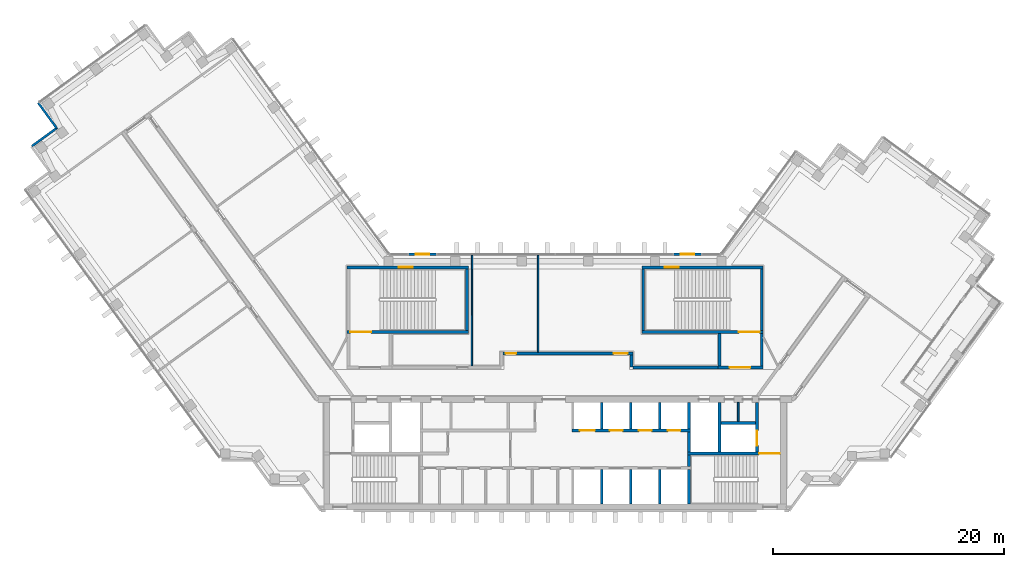
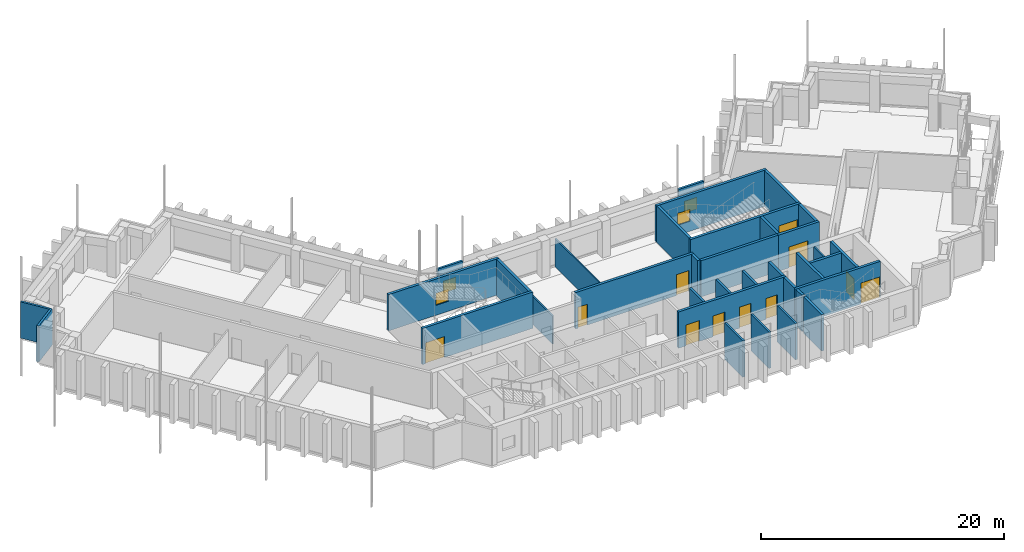
# One storey, part 10 of 14: 35 walls, 11 doors, 4 windows, 15 openings.
"""IFC4 building model written with IfcOpenShell, lengths in metres."""

from ifc_helpers import new_model, si_unit, direction, frame, frame_2d, origin, place, context, subcontext, project, spatial, rectangle, extrude, material, layer, layer_set, type_object, element, fill, save


model = new_model("IFC4")

# Units and contexts
model_context = context("Model", 3, precision=1e-05, world=origin(), true_north=direction((0.0, 1.0)))
body_context = subcontext(model_context, "Body", "Model", "MODEL_VIEW")
ifc_project = project(units=[si_unit("LENGTHUNIT", "METRE"), si_unit("AREAUNIT", "SQUARE_METRE"), si_unit("VOLUMEUNIT", "CUBIC_METRE"), si_unit("PLANEANGLEUNIT", "RADIAN"), si_unit("MASSUNIT", "GRAM", prefix="KILO")], contexts=[model_context])

# Site, building, storey
site_placement = place(None, origin())
site = spatial("IfcSite", under=ifc_project, at=site_placement, CompositionType="ELEMENT")
building_placement = place(site_placement, origin())
building = spatial("IfcBuilding", under=site, at=building_placement, Name="Quipu Civic Tower", CompositionType="ELEMENT")
storey_placement = place(building_placement, frame((0.0, 0.0, 198.0)))
storey = spatial("IfcBuildingStorey", under=building, at=storey_placement, Name="L46", CompositionType="ELEMENT", Elevation=198.0)

# Walls
ifc_material_1 = material(Name="Concrete C70/85", Category="concrete")
ifc_layer_1 = layer(ifc_material_1, 0.25)
ifc_layer_set_1 = layer_set([ifc_layer_1], Name="Concrete C70/85")
wall_type_1 = type_object("IfcWallType", Name="Core wall 250", PredefinedType="SHEAR", material=ifc_layer_set_1)
wall_1_placement = place(storey_placement, frame((11.574951171875, -10.5, 0.0), z_axis=(0.0, 0.0, 1.0), x_axis=(0.0, 1.0, 0.0)))
element("IfcWall", 1, at=wall_1_placement, inside=storey, type_object=wall_type_1, Name="Core wall", PredefinedType="SHEAR", context=body_context, shape_type="SweptSolid", body=[
    extrude(rectangle(XDim=3.0, YDim=0.25, at=frame_2d((1.5, 0.0))), origin(), (0.0, 0.0, 1.0), 3.64990234375),
])
wall_2_placement = place(storey_placement, frame((11.574951171875, -7.25, 0.0), z_axis=(0.0, 0.0, 1.0), x_axis=(0.0, 1.0, 0.0)))
element("IfcWall", 2, at=wall_2_placement, inside=storey, type_object=wall_type_1, Name="Core wall", PredefinedType="SHEAR", context=body_context, shape_type="SweptSolid", body=[
    extrude(rectangle(XDim=1.0, YDim=0.25, at=frame_2d((0.5, 0.0))), origin(), (0.0, 0.0, 1.0), 3.64990234375),
])

# Wall, opening, door
wall_3_placement = place(storey_placement, frame((19.5, -6.125, 0.0), z_axis=(0.0, 0.0, 1.0), x_axis=(-1.0, 0.0, 0.0)))
wall_3 = element("IfcWall", 3, at=wall_3_placement, inside=storey, type_object=wall_type_1, Name="Core wall", PredefinedType="SHEAR", context=body_context, shape_type="SweptSolid", body=[
    extrude(rectangle(XDim=8.050048828125, YDim=0.25, at=frame_2d((4.02490234375, 0.0))), origin(), (0.0, 0.0, 1.0), 3.64990234375),
])
opening_1_placement = place(wall_3_placement, frame((0.050048828125, 0.0, 0.0)))
opening_1 = element("IfcOpeningElement", 4, at=opening_1_placement, cuts=wall_3, Name="Opening CD-09", PredefinedType="OPENING", context=body_context, shape_type="SweptSolid", body=[
    extrude(rectangle(XDim=1.800048828125, YDim=2.10009765625, at=frame_2d((0.89990234375, 1.050048828125))), frame((0.0, 0.135009765625, 0.0), z_axis=(0.0, -1.0, 0.0), x_axis=(1.0, 0.0, 0.0)), (0.0, 0.0, 1.0), 0.27001953125),
])
ifc_material_2 = material(Name="Fire rated steel door", Category="steel")
door_type_1 = type_object("IfcDoorType", Name="Fire door FD90 double 1800 x 2100", OperationType="NOTDEFINED", PredefinedType="DOOR", material=ifc_material_2)
door_1_placement = place(opening_1_placement, origin())
door_1 = element("IfcDoor", 5, at=door_1_placement, inside=storey, type_object=door_type_1, Name="Door", OperationType="DOUBLE_DOOR_SINGLE_SWING", OverallHeight=2.10009765625, OverallWidth=1.800048828125, PredefinedType="DOOR", context=body_context, shape_type="SweptSolid", body=[
    extrude(rectangle(XDim=1.800048828125, YDim=2.10009765625, at=frame_2d((0.89990234375, 1.050048828125))), frame((0.0, 0.02490234375, 0.0), z_axis=(0.0, -1.0, 0.0), x_axis=(1.0, 0.0, 0.0)), (0.0, 0.0, 1.0), 0.050048828125),
])
fill(opening_1, door_1)

# Walls
wall_4_placement = place(storey_placement, frame((11.574951171875, -6.0, 0.0), z_axis=(0.0, 0.0, 1.0), x_axis=(0.0, 1.0, 0.0)))
element("IfcWall", 6, at=wall_4_placement, inside=storey, type_object=wall_type_1, Name="Core wall", PredefinedType="SHEAR", context=body_context, shape_type="SweptSolid", body=[
    extrude(rectangle(XDim=1.75, YDim=0.25, at=frame_2d((0.875, 0.0))), origin(), (0.0, 0.0, 1.0), 3.64990234375),
])
wall_5_placement = place(storey_placement, frame((14.22509765625, -6.0, 0.0), z_axis=(0.0, 0.0, 1.0), x_axis=(0.0, 1.0, 0.0)))
element("IfcWall", 7, at=wall_5_placement, inside=storey, type_object=wall_type_1, Name="Core wall", PredefinedType="SHEAR", context=body_context, shape_type="SweptSolid", body=[
    extrude(rectangle(XDim=4.300048828125, YDim=0.25, at=frame_2d((2.14990234375, 0.0))), origin(), (0.0, 0.0, 1.0), 3.64990234375),
])

# Wall, opening, door
wall_6_placement = place(storey_placement, frame((17.47509765625, -6.0, 0.0), z_axis=(0.0, 0.0, 1.0), x_axis=(0.0, 1.0, 0.0)))
wall_6 = element("IfcWall", 8, at=wall_6_placement, inside=storey, type_object=wall_type_1, Name="Core wall", PredefinedType="SHEAR", context=body_context, shape_type="SweptSolid", body=[
    extrude(rectangle(XDim=4.300048828125, YDim=0.25, at=frame_2d((2.14990234375, 0.0))), origin(), (0.0, 0.0, 1.0), 3.64990234375),
])
opening_2_placement = place(wall_6_placement, frame((0.550048828125, 0.0, 0.0)))
opening_2 = element("IfcOpeningElement", 9, at=opening_2_placement, cuts=wall_6, Name="Opening LD-FF2", PredefinedType="OPENING", context=body_context, shape_type="SweptSolid", body=[
    extrude(rectangle(XDim=1.300048828125, YDim=2.10009765625, at=frame_2d((0.64990234375, 1.050048828125))), frame((0.0, 0.135009765625, 0.0), z_axis=(0.0, -1.0, 0.0), x_axis=(1.0, 0.0, 0.0)), (0.0, 0.0, 1.0), 0.27001953125),
])
ifc_material_3 = material(Name="Stainless steel", Category="steel")
door_type_2 = type_object("IfcDoorType", Name="Lift landing door 1300 x 2100", OperationType="DOUBLE_DOOR_SLIDING", PredefinedType="DOOR", material=ifc_material_3)
door_2_placement = place(opening_2_placement, origin())
door_2 = element("IfcDoor", 10, at=door_2_placement, inside=storey, type_object=door_type_2, Name="Landing door FF2", OperationType="DOUBLE_DOOR_SLIDING", OverallHeight=2.10009765625, OverallWidth=1.300048828125, PredefinedType="DOOR", context=body_context, shape_type="SweptSolid", body=[
    extrude(rectangle(XDim=1.300048828125, YDim=2.10009765625, at=frame_2d((0.64990234375, 1.050048828125))), frame((0.0, 0.02490234375, 0.0), z_axis=(0.0, -1.0, 0.0), x_axis=(1.0, 0.0, 0.0)), (0.0, 0.0, 1.0), 0.050048828125),
])
fill(opening_2, door_2)

# Wall, openings, doors
wall_7_placement = place(storey_placement, frame((1.449951171875, -4.125, 0.0), z_axis=(0.0, 0.0, 1.0), x_axis=(1.0, 0.0, 0.0)))
wall_7 = element("IfcWall", 11, at=wall_7_placement, inside=storey, type_object=wall_type_1, Name="Core wall", PredefinedType="SHEAR", context=body_context, shape_type="SweptSolid", body=[
    extrude(rectangle(XDim=10.25, YDim=0.25, at=frame_2d((5.125, 0.0))), origin(), (0.0, 0.0, 1.0), 3.64990234375),
])
opening_3_placement = place(wall_7_placement, frame((0.699951171875, 0.0, 0.0)))
opening_3 = element("IfcOpeningElement", 12, at=opening_3_placement, cuts=wall_7, Name="Opening LD-FF3", PredefinedType="OPENING", context=body_context, shape_type="SweptSolid", body=[
    extrude(rectangle(XDim=1.300048828125, YDim=2.10009765625, at=frame_2d((0.64990234375, 1.050048828125))), frame((0.0, 0.135009765625, 0.0), z_axis=(0.0, -1.0, 0.0), x_axis=(1.0, 0.0, 0.0)), (0.0, 0.0, 1.0), 0.27001953125),
])
opening_4_placement = place(wall_7_placement, frame((3.300048828125, 0.0, 0.0)))
opening_4 = element("IfcOpeningElement", 13, at=opening_4_placement, cuts=wall_7, Name="Opening LD-ML5", PredefinedType="OPENING", context=body_context, shape_type="SweptSolid", body=[
    extrude(rectangle(XDim=1.10009765625, YDim=2.10009765625, at=frame_2d((0.550048828125, 1.050048828125))), frame((0.0, 0.135009765625, 0.0), z_axis=(0.0, -1.0, 0.0), x_axis=(1.0, 0.0, 0.0)), (0.0, 0.0, 1.0), 0.27001953125),
])
opening_5_placement = place(wall_7_placement, frame((5.800048828125, 0.0, 0.0)))
opening_5 = element("IfcOpeningElement", 14, at=opening_5_placement, cuts=wall_7, Name="Opening LD-ML6", PredefinedType="OPENING", context=body_context, shape_type="SweptSolid", body=[
    extrude(rectangle(XDim=1.10009765625, YDim=2.10009765625, at=frame_2d((0.550048828125, 1.050048828125))), frame((0.0, 0.135009765625, 0.0), z_axis=(0.0, -1.0, 0.0), x_axis=(1.0, 0.0, 0.0)), (0.0, 0.0, 1.0), 0.27001953125),
])
opening_6_placement = place(wall_7_placement, frame((8.300048828125, 0.0, 0.0)))
opening_6 = element("IfcOpeningElement", 15, at=opening_6_placement, cuts=wall_7, Name="Opening LD-ML7", PredefinedType="OPENING", context=body_context, shape_type="SweptSolid", body=[
    extrude(rectangle(XDim=1.10009765625, YDim=2.10009765625, at=frame_2d((0.550048828125, 1.050048828125))), frame((0.0, 0.135009765625, 0.0), z_axis=(0.0, -1.0, 0.0), x_axis=(1.0, 0.0, 0.0)), (0.0, 0.0, 1.0), 0.27001953125),
])
ifc_material_4 = material(Name="Stainless steel", Category="steel")
door_type_3 = type_object("IfcDoorType", Name="Lift landing door 1100 x 2100", OperationType="DOUBLE_DOOR_SLIDING", PredefinedType="DOOR", material=ifc_material_4)
door_3_placement = place(opening_4_placement, origin())
door_3 = element("IfcDoor", 16, at=door_3_placement, inside=storey, type_object=door_type_3, Name="Landing door ML5", OperationType="DOUBLE_DOOR_SLIDING", OverallHeight=2.10009765625, OverallWidth=1.10009765625, PredefinedType="DOOR", context=body_context, shape_type="SweptSolid", body=[
    extrude(rectangle(XDim=1.10009765625, YDim=2.10009765625, at=frame_2d((0.550048828125, 1.050048828125))), frame((0.0, 0.02490234375, 0.0), z_axis=(0.0, -1.0, 0.0), x_axis=(1.0, 0.0, 0.0)), (0.0, 0.0, 1.0), 0.050048828125),
])
fill(opening_4, door_3)
door_4_placement = place(opening_5_placement, origin())
door_4 = element("IfcDoor", 17, at=door_4_placement, inside=storey, type_object=door_type_3, Name="Landing door ML6", OperationType="DOUBLE_DOOR_SLIDING", OverallHeight=2.10009765625, OverallWidth=1.10009765625, PredefinedType="DOOR", context=body_context, shape_type="SweptSolid", body=[
    extrude(rectangle(XDim=1.10009765625, YDim=2.10009765625, at=frame_2d((0.550048828125, 1.050048828125))), frame((0.0, 0.02490234375, 0.0), z_axis=(0.0, -1.0, 0.0), x_axis=(1.0, 0.0, 0.0)), (0.0, 0.0, 1.0), 0.050048828125),
])
fill(opening_5, door_4)
door_5_placement = place(opening_6_placement, origin())
door_5 = element("IfcDoor", 18, at=door_5_placement, inside=storey, type_object=door_type_3, Name="Landing door ML7", OperationType="DOUBLE_DOOR_SLIDING", OverallHeight=2.10009765625, OverallWidth=1.10009765625, PredefinedType="DOOR", context=body_context, shape_type="SweptSolid", body=[
    extrude(rectangle(XDim=1.10009765625, YDim=2.10009765625, at=frame_2d((0.550048828125, 1.050048828125))), frame((0.0, 0.02490234375, 0.0), z_axis=(0.0, -1.0, 0.0), x_axis=(1.0, 0.0, 0.0)), (0.0, 0.0, 1.0), 0.050048828125),
])
fill(opening_6, door_5)
door_6_placement = place(opening_3_placement, origin())
door_6 = element("IfcDoor", 19, at=door_6_placement, inside=storey, type_object=door_type_2, Name="Landing door FF3", OperationType="DOUBLE_DOOR_SLIDING", OverallHeight=2.10009765625, OverallWidth=1.300048828125, PredefinedType="DOOR", context=body_context, shape_type="SweptSolid", body=[
    extrude(rectangle(XDim=1.300048828125, YDim=2.10009765625, at=frame_2d((0.64990234375, 1.050048828125))), frame((0.0, 0.02490234375, 0.0), z_axis=(0.0, -1.0, 0.0), x_axis=(1.0, 0.0, 0.0)), (0.0, 0.0, 1.0), 0.050048828125),
])
fill(opening_3, door_6)

# Walls
wall_8_placement = place(storey_placement, frame((11.574951171875, -4.0, 0.0), z_axis=(0.0, 0.0, 1.0), x_axis=(0.0, 1.0, 0.0)))
element("IfcWall", 20, at=wall_8_placement, inside=storey, type_object=wall_type_1, Name="Core wall", PredefinedType="SHEAR", context=body_context, shape_type="SweptSolid", body=[
    extrude(rectangle(XDim=2.300048828125, YDim=0.25, at=frame_2d((1.14990234375, 0.0))), origin(), (0.0, 0.0, 1.0), 3.64990234375),
])
wall_9_placement = place(storey_placement, frame((14.35009765625, -3.47509765625, 0.0), z_axis=(0.0, 0.0, 1.0), x_axis=(1.0, 0.0, 0.0)))
element("IfcWall", 21, at=wall_9_placement, inside=storey, type_object=wall_type_1, Name="Core wall", PredefinedType="SHEAR", context=body_context, shape_type="SweptSolid", body=[
    extrude(rectangle(XDim=3.0, YDim=0.25, at=frame_2d((1.5, 0.0))), origin(), (0.0, 0.0, 1.0), 3.64990234375),
])

# Wall, opening, door
wall_10_placement = place(storey_placement, frame((-18.0, 4.375, 0.0), z_axis=(0.0, 0.0, 1.0), x_axis=(1.0, 0.0, 0.0)))
wall_10 = element("IfcWall", 22, at=wall_10_placement, inside=storey, type_object=wall_type_1, Name="Core wall", PredefinedType="SHEAR", context=body_context, shape_type="SweptSolid", body=[
    extrude(rectangle(XDim=10.5, YDim=0.25, at=frame_2d((5.25, 0.0))), origin(), (0.0, 0.0, 1.0), 3.64990234375),
])
opening_7_placement = place(wall_10_placement, frame((0.300048828125, 0.0, 0.0)))
opening_7 = element("IfcOpeningElement", 23, at=opening_7_placement, cuts=wall_10, Name="Opening CD-24", PredefinedType="OPENING", context=body_context, shape_type="SweptSolid", body=[
    extrude(rectangle(XDim=1.800048828125, YDim=2.10009765625, at=frame_2d((0.89990234375, 1.050048828125))), frame((0.0, 0.135009765625, 0.0), z_axis=(0.0, -1.0, 0.0), x_axis=(1.0, 0.0, 0.0)), (0.0, 0.0, 1.0), 0.27001953125),
])
door_7_placement = place(opening_7_placement, origin())
door_7 = element("IfcDoor", 24, at=door_7_placement, inside=storey, type_object=door_type_1, Name="Door", OperationType="DOUBLE_DOOR_SINGLE_SWING", OverallHeight=2.10009765625, OverallWidth=1.800048828125, PredefinedType="DOOR", context=body_context, shape_type="SweptSolid", body=[
    extrude(rectangle(XDim=1.800048828125, YDim=2.10009765625, at=frame_2d((0.89990234375, 1.050048828125))), frame((0.0, 0.02490234375, 0.0), z_axis=(0.0, -1.0, 0.0), x_axis=(1.0, 0.0, 0.0)), (0.0, 0.0, 1.0), 0.050048828125),
])
fill(opening_7, door_7)

# Wall
wall_11_placement = place(storey_placement, frame((-7.625, 4.5, 0.0), z_axis=(0.0, 0.0, 1.0), x_axis=(0.0, 1.0, 0.0)))
element("IfcWall", 25, at=wall_11_placement, inside=storey, type_object=wall_type_1, Name="Core wall", PredefinedType="SHEAR", context=body_context, shape_type="SweptSolid", body=[
    extrude(rectangle(XDim=5.35009765625, YDim=0.25, at=frame_2d((2.675048828125, 0.0))), origin(), (0.0, 0.0, 1.0), 3.64990234375),
])

# Wall, opening, window
wall_12_placement = place(storey_placement, frame((-18.0, 9.97509765625, 0.0), z_axis=(0.0, 0.0, 1.0), x_axis=(1.0, 0.0, 0.0)))
wall_12 = element("IfcWall", 26, at=wall_12_placement, inside=storey, type_object=wall_type_1, Name="Core wall", PredefinedType="SHEAR", context=body_context, shape_type="SweptSolid", body=[
    extrude(rectangle(XDim=10.5, YDim=0.25, at=frame_2d((5.25, 0.0))), origin(), (0.0, 0.0, 1.0), 3.64990234375),
])
opening_8_placement = place(wall_12_placement, frame((4.5, 0.0, 1.0)))
opening_8 = element("IfcOpeningElement", 27, at=opening_8_placement, cuts=wall_12, Name="Opening SV-3", PredefinedType="OPENING", context=body_context, shape_type="SweptSolid", body=[
    extrude(rectangle(XDim=1.199951171875, YDim=1.199951171875, at=frame_2d((0.60009765625, 0.60009765625))), frame((0.0, 0.135009765625, 0.0), z_axis=(0.0, -1.0, 0.0), x_axis=(1.0, 0.0, 0.0)), (0.0, 0.0, 1.0), 0.27001953125),
])
ifc_material_5 = material(Name="Aluminium louvre", Category="aluminium")
window_type_1 = type_object("IfcWindowType", Name="Stair ventilation louvre 1200 x 1200", PartitioningType="SINGLE_PANEL", PredefinedType="WINDOW", material=ifc_material_5)
window_1_placement = place(opening_8_placement, origin())
window_1 = element("IfcWindow", 28, at=window_1_placement, inside=storey, type_object=window_type_1, Name="Stair ventilation opening", OverallHeight=1.199951171875, OverallWidth=1.199951171875, PartitioningType="SINGLE_PANEL", PredefinedType="WINDOW", context=body_context, shape_type="SweptSolid", body=[
    extrude(rectangle(XDim=1.199951171875, YDim=1.199951171875, at=frame_2d((0.60009765625, 0.60009765625))), frame((0.0, 0.030029296875, 0.0), z_axis=(0.0, -1.0, 0.0), x_axis=(1.0, 0.0, 0.0)), (0.0, 0.0, 1.0), 0.06005859375),
])
fill(opening_8, window_1)

# Wall, opening, door
wall_13_placement = place(storey_placement, frame((14.10009765625, 1.324951171875, 0.0), z_axis=(0.0, 0.0, 1.0), x_axis=(1.0, 0.0, 0.0)))
wall_13 = element("IfcWall", 29, at=wall_13_placement, inside=storey, type_object=wall_type_1, Name="Core wall", PredefinedType="SHEAR", context=body_context, shape_type="SweptSolid", body=[
    extrude(rectangle(XDim=3.89990234375, YDim=0.25, at=frame_2d((1.949951171875, 0.0))), origin(), (0.0, 0.0, 1.0), 3.64990234375),
])
opening_9_placement = place(wall_13_placement, frame((1.0, 0.0, 0.0)))
opening_9 = element("IfcOpeningElement", 30, at=opening_9_placement, cuts=wall_13, Name="Opening CD-25", PredefinedType="OPENING", context=body_context, shape_type="SweptSolid", body=[
    extrude(rectangle(XDim=1.800048828125, YDim=2.10009765625, at=frame_2d((0.89990234375, 1.050048828125))), frame((0.0, 0.135009765625, 0.0), z_axis=(0.0, -1.0, 0.0), x_axis=(1.0, 0.0, 0.0)), (0.0, 0.0, 1.0), 0.27001953125),
])
door_8_placement = place(opening_9_placement, origin())
door_8 = element("IfcDoor", 31, at=door_8_placement, inside=storey, type_object=door_type_1, Name="Lobby door", OperationType="DOUBLE_DOOR_SINGLE_SWING", OverallHeight=2.10009765625, OverallWidth=1.800048828125, PredefinedType="DOOR", context=body_context, shape_type="SweptSolid", body=[
    extrude(rectangle(XDim=1.800048828125, YDim=2.10009765625, at=frame_2d((0.89990234375, 1.050048828125))), frame((0.0, 0.02490234375, 0.0), z_axis=(0.0, -1.0, 0.0), x_axis=(1.0, 0.0, 0.0)), (0.0, 0.0, 1.0), 0.050048828125),
])
fill(opening_9, door_8)

# Walls
for number, where, z_axis, x_axis, name in (
    (32, (14.22509765625, 1.449951171875, 0.0), (0.0, 0.0, 1.0), (0.0, 1.0, 0.0), "Core wall"),
    (33, (17.875, 1.449951171875, 0.0), (0.0, 0.0, 1.0), (0.0, 1.0, 0.0), "Core wall"),
):
    element("IfcWall", number, at=place(storey_placement, frame(where, z_axis=z_axis, x_axis=x_axis)), inside=storey, type_object=wall_type_1, Name=name, PredefinedType="SHEAR", context=body_context, shape_type="SweptSolid", body=[
        extrude(rectangle(XDim=2.800048828125, YDim=0.25, at=frame_2d((1.39990234375, 0.0))), origin(), (0.0, 0.0, 1.0), 3.64990234375),
    ])

# Wall, opening, door
wall_14_placement = place(storey_placement, frame((7.5, 4.375, 0.0), z_axis=(0.0, 0.0, 1.0), x_axis=(1.0, 0.0, 0.0)))
wall_14 = element("IfcWall", 34, at=wall_14_placement, inside=storey, type_object=wall_type_1, Name="Core wall", PredefinedType="SHEAR", context=body_context, shape_type="SweptSolid", body=[
    extrude(rectangle(XDim=10.5, YDim=0.25, at=frame_2d((5.25, 0.0))), origin(), (0.0, 0.0, 1.0), 3.64990234375),
])
opening_10_placement = place(wall_14_placement, frame((8.39990234375, 0.0, 0.0)))
opening_10 = element("IfcOpeningElement", 35, at=opening_10_placement, cuts=wall_14, Name="Opening CD-26", PredefinedType="OPENING", context=body_context, shape_type="SweptSolid", body=[
    extrude(rectangle(XDim=1.800048828125, YDim=2.10009765625, at=frame_2d((0.89990234375, 1.050048828125))), frame((0.0, 0.135009765625, 0.0), z_axis=(0.0, -1.0, 0.0), x_axis=(1.0, 0.0, 0.0)), (0.0, 0.0, 1.0), 0.27001953125),
])
door_9_placement = place(opening_10_placement, origin())
door_9 = element("IfcDoor", 36, at=door_9_placement, inside=storey, type_object=door_type_1, Name="Door", OperationType="DOUBLE_DOOR_SINGLE_SWING", OverallHeight=2.10009765625, OverallWidth=1.800048828125, PredefinedType="DOOR", context=body_context, shape_type="SweptSolid", body=[
    extrude(rectangle(XDim=1.800048828125, YDim=2.10009765625, at=frame_2d((0.89990234375, 1.050048828125))), frame((0.0, 0.02490234375, 0.0), z_axis=(0.0, -1.0, 0.0), x_axis=(1.0, 0.0, 0.0)), (0.0, 0.0, 1.0), 0.050048828125),
])
fill(opening_10, door_9)

# Walls
for number, where, z_axis, x_axis, name in (
    (37, (7.625, 4.5, 0.0), (0.0, 0.0, 1.0), (0.0, 1.0, 0.0), "Core wall"),
    (38, (17.875, 4.5, 0.0), (0.0, 0.0, 1.0), (0.0, 1.0, 0.0), "Core wall"),
):
    element("IfcWall", number, at=place(storey_placement, frame(where, z_axis=z_axis, x_axis=x_axis)), inside=storey, type_object=wall_type_1, Name=name, PredefinedType="SHEAR", context=body_context, shape_type="SweptSolid", body=[
        extrude(rectangle(XDim=5.35009765625, YDim=0.25, at=frame_2d((2.675048828125, 0.0))), origin(), (0.0, 0.0, 1.0), 3.64990234375),
    ])

# Wall, opening, window
wall_15_placement = place(storey_placement, frame((7.5, 9.97509765625, 0.0), z_axis=(0.0, 0.0, 1.0), x_axis=(1.0, 0.0, 0.0)))
wall_15 = element("IfcWall", 39, at=wall_15_placement, inside=storey, type_object=wall_type_1, Name="Core wall", PredefinedType="SHEAR", context=body_context, shape_type="SweptSolid", body=[
    extrude(rectangle(XDim=10.5, YDim=0.25, at=frame_2d((5.25, 0.0))), origin(), (0.0, 0.0, 1.0), 3.64990234375),
])
opening_11_placement = place(wall_15_placement, frame((2.0, 0.0, 1.0)))
opening_11 = element("IfcOpeningElement", 40, at=opening_11_placement, cuts=wall_15, Name="Opening SV-4", PredefinedType="OPENING", context=body_context, shape_type="SweptSolid", body=[
    extrude(rectangle(XDim=1.199951171875, YDim=1.199951171875, at=frame_2d((0.60009765625, 0.60009765625))), frame((0.0, 0.135009765625, 0.0), z_axis=(0.0, -1.0, 0.0), x_axis=(1.0, 0.0, 0.0)), (0.0, 0.0, 1.0), 0.27001953125),
])
window_2_placement = place(opening_11_placement, origin())
window_2 = element("IfcWindow", 41, at=window_2_placement, inside=storey, type_object=window_type_1, Name="Stair ventilation opening", OverallHeight=1.199951171875, OverallWidth=1.199951171875, PartitioningType="SINGLE_PANEL", PredefinedType="WINDOW", context=body_context, shape_type="SweptSolid", body=[
    extrude(rectangle(XDim=1.199951171875, YDim=1.199951171875, at=frame_2d((0.60009765625, 0.60009765625))), frame((0.0, 0.030029296875, 0.0), z_axis=(0.0, -1.0, 0.0), x_axis=(1.0, 0.0, 0.0)), (0.0, 0.0, 1.0), 0.06005859375),
])
fill(opening_11, window_2)

# Wall, openings, doors
ifc_material_6 = material(Name="Concrete C50/60", Category="concrete")
ifc_layer_2 = layer(ifc_material_6, 0.25)
ifc_layer_set_2 = layer_set([ifc_layer_2], Name="Concrete C50/60")
wall_type_2 = type_object("IfcWallType", Name="Corridor wall 250 concrete", PredefinedType="SOLIDWALL", material=ifc_layer_set_2)
wall_16_placement = place(storey_placement, frame((-4.5, 2.52490234375, 0.0), z_axis=(0.0, 0.0, 1.0), x_axis=(1.0, 0.0, 0.0)))
wall_16 = element("IfcWall", 42, at=wall_16_placement, inside=storey, type_object=wall_type_2, Name="Corridor wall C09", PredefinedType="SOLIDWALL", context=body_context, shape_type="SweptSolid", body=[
    extrude(rectangle(XDim=11.25, YDim=0.25, at=frame_2d((5.625, 0.0))), origin(), (0.0, 0.0, 1.0), 3.64990234375),
])
opening_12_placement = place(wall_16_placement, frame((0.22412109375, 0.0, 0.0)))
opening_12 = element("IfcOpeningElement", 43, at=opening_12_placement, cuts=wall_16, Name="Opening D005", PredefinedType="OPENING", context=body_context, shape_type="SweptSolid", body=[
    extrude(rectangle(XDim=0.89990234375, YDim=2.10009765625, at=frame_2d((0.449951171875, 1.050048828125))), frame((0.0, 0.135009765625, 0.0), z_axis=(0.0, -1.0, 0.0), x_axis=(1.0, 0.0, 0.0)), (0.0, 0.0, 1.0), 0.27001953125),
])
opening_13_placement = place(wall_16_placement, frame((9.575927734375, 0.0, 0.0)))
opening_13 = element("IfcOpeningElement", 44, at=opening_13_placement, cuts=wall_16, Name="Opening D006", PredefinedType="OPENING", context=body_context, shape_type="SweptSolid", body=[
    extrude(rectangle(XDim=1.199951171875, YDim=2.10009765625, at=frame_2d((0.60009765625, 1.050048828125))), frame((0.0, 0.135009765625, 0.0), z_axis=(0.0, -1.0, 0.0), x_axis=(1.0, 0.0, 0.0)), (0.0, 0.0, 1.0), 0.27001953125),
])
ifc_material_7 = material(Name="Fire rated timber door set with metal frame", Category="wood")
door_type_4 = type_object("IfcDoorType", Name="Single door 1200 x 2100 FD60", OperationType="NOTDEFINED", PredefinedType="DOOR", material=ifc_material_7)
door_10_placement = place(opening_13_placement, origin())
door_10 = element("IfcDoor", 45, at=door_10_placement, inside=storey, type_object=door_type_4, Name="Door D006", OperationType="SINGLE_SWING_RIGHT", OverallHeight=2.10009765625, OverallWidth=1.199951171875, PredefinedType="DOOR", context=body_context, shape_type="SweptSolid", body=[
    extrude(rectangle(XDim=1.199951171875, YDim=2.10009765625, at=frame_2d((0.60009765625, 1.050048828125))), frame((0.0, 0.02490234375, 0.0), z_axis=(0.0, -1.0, 0.0), x_axis=(1.0, 0.0, 0.0)), (0.0, 0.0, 1.0), 0.050048828125),
])
fill(opening_13, door_10)
ifc_material_8 = material(Name="Fire rated timber door set with metal frame", Category="wood")
door_type_5 = type_object("IfcDoorType", Name="Single door 900 x 2100 FD60", OperationType="NOTDEFINED", PredefinedType="DOOR", material=ifc_material_8)
door_11_placement = place(opening_12_placement, origin())
door_11 = element("IfcDoor", 46, at=door_11_placement, inside=storey, type_object=door_type_5, Name="Door D005", OperationType="SINGLE_SWING_LEFT", OverallHeight=2.10009765625, OverallWidth=0.89990234375, PredefinedType="DOOR", context=body_context, shape_type="SweptSolid", body=[
    extrude(rectangle(XDim=0.89990234375, YDim=2.10009765625, at=frame_2d((0.449951171875, 1.050048828125))), frame((0.0, 0.02490234375, 0.0), z_axis=(0.0, -1.0, 0.0), x_axis=(1.0, 0.0, 0.0)), (0.0, 0.0, 1.0), 0.050048828125),
])
fill(opening_12, door_11)

# Walls
wall_17_placement = place(storey_placement, frame((6.625, 2.39990234375, 0.0), z_axis=(0.0, 0.0, 1.0), x_axis=(0.0, -1.0, 0.0)))
element("IfcWall", 47, at=wall_17_placement, inside=storey, type_object=wall_type_2, Name="Corridor wall C10", PredefinedType="SOLIDWALL", context=body_context, shape_type="SweptSolid", body=[
    extrude(rectangle(XDim=1.041259765625, YDim=0.25, at=frame_2d((0.5205078125, 0.0))), origin(), (0.0, 0.0, 1.0), 3.64990234375),
])
wall_18_placement = place(storey_placement, frame((6.753662109375, 1.324951171875, 0.0), z_axis=(0.0, 0.0, 1.0), x_axis=(1.0, 0.0, 0.0)))
element("IfcWall", 48, at=wall_18_placement, inside=storey, type_object=wall_type_2, Name="Corridor wall C11", PredefinedType="SOLIDWALL", context=body_context, shape_type="SweptSolid", body=[
    extrude(rectangle(XDim=7.33642578125, YDim=0.25, at=frame_2d((3.668212890625, 0.0))), origin(), (0.0, 0.0, 1.0), 3.64990234375),
])
ifc_material_9 = material(Name="Gypsum plasterboard on light gauge framing")
ifc_layer_3 = layer(ifc_material_9, 0.1201171875)
ifc_layer_set_3 = layer_set([ifc_layer_3], Name="Gypsum plasterboard on light gauge framing")
wall_type_3 = type_object("IfcWallType", Name="Partition 120 plasterboard", PredefinedType="PARTITIONING", material=ifc_layer_set_3)
wall_19_placement = place(storey_placement, frame((-1.458984375, 2.64990234375, 0.0), z_axis=(0.0, 0.0, 1.0), x_axis=(0.0, 1.0, 0.0)))
element("IfcWall", 49, at=wall_19_placement, inside=storey, type_object=wall_type_3, Name="Partition P02", PredefinedType="PARTITIONING", context=body_context, shape_type="SweptSolid", body=[
    extrude(rectangle(XDim=8.35009765625, YDim=0.1201171875, at=frame_2d((4.175048828125, 0.0))), origin(), (0.0, 0.0, 1.0), 2.85009765625),
])
wall_20_placement = place(storey_placement, frame((-7.17529296875, 11.0, 0.0), z_axis=(0.0, 0.0, 1.0), x_axis=(-0.002377476217, -0.999997173799, 0.0)))
element("IfcWall", 50, at=wall_20_placement, inside=storey, type_object=wall_type_3, Name="Partition P03", PredefinedType="PARTITIONING", context=body_context, shape_type="SweptSolid", body=[
    extrude(rectangle(XDim=9.550048828125, YDim=0.1201171875, at=frame_2d((4.77490234375, 0.0))), origin(), (0.0, 0.0, 1.0), 2.85009765625),
])
ifc_material_10 = material(Name="Gypsum board partition")
ifc_layer_4 = layer(ifc_material_10, 0.14990234375)
ifc_layer_set_4 = layer_set([ifc_layer_4], Name="Gypsum board partition")
wall_type_4 = type_object("IfcWallType", Name="Partition 150", PredefinedType="PARTITIONING", material=ifc_layer_set_4)
wall_21_placement = place(storey_placement, frame((15.85009765625, -3.35009765625, 0.0), z_axis=(0.0, 0.0, 1.0), x_axis=(0.0, 1.0, 0.0)))
element("IfcWall", 51, at=wall_21_placement, inside=storey, type_object=wall_type_4, Name="Partition", PredefinedType="PARTITIONING", context=body_context, shape_type="SweptSolid", body=[
    extrude(rectangle(XDim=1.650146484375, YDim=0.14990234375, at=frame_2d((0.8251953125, 0.0))), origin(), (0.0, 0.0, 1.0), 3.64990234375),
])

# Wall, opening, window
ifc_material_11 = material(Name="Precast concrete C40/50", Category="concrete")
wall_type_5 = type_object("IfcWallType", Name="Precast cladding wall", PredefinedType="SOLIDWALL", material=ifc_material_11)
wall_22_placement = place(storey_placement, frame((12.655029296875, 11.10009765625, 0.0), z_axis=(0.0, 0.0, 1.0), x_axis=(-1.0, 0.0, 0.0)))
wall_22 = element("IfcWall", 52, at=wall_22_placement, inside=storey, type_object=wall_type_5, Name="Vent surround SF-L45-2", PredefinedType="SOLIDWALL", context=body_context, shape_type="SweptSolid", body=[
    extrude(rectangle(XDim=2.3916015625, YDim=0.199951171875, at=frame_2d((1.19580078125, 0.0))), origin(), (0.0, 0.0, 1.0), 3.64990234375),
])
opening_14_placement = place(wall_22_placement, frame((0.595703125, 0.0, 1.0)))
opening_14 = element("IfcOpeningElement", 53, at=opening_14_placement, cuts=wall_22, Name="Opening SF-L45-2", PredefinedType="OPENING", context=body_context, shape_type="SweptSolid", body=[
    extrude(rectangle(XDim=1.199951171875, YDim=1.199951171875, at=frame_2d((0.60009765625, 0.60009765625))), frame((0.0, 0.10986328125, 0.0), z_axis=(0.0, -1.0, 0.0), x_axis=(1.0, 0.0, 0.0)), (0.0, 0.0, 1.0), 0.219970703125),
])
ifc_material_12 = material(Name="Anodised aluminium louvre", Category="aluminium")
window_type_2 = type_object("IfcWindowType", Name="Stair vent louvre window P3", PartitioningType="SINGLE_PANEL", PredefinedType="WINDOW", material=ifc_material_12)
window_3_placement = place(opening_14_placement, origin())
window_3 = element("IfcWindow", 54, at=window_3_placement, inside=storey, type_object=window_type_2, Name="Stair vent louvre SF-L45-2", OverallHeight=1.199951171875, OverallWidth=1.199951171875, PartitioningType="SINGLE_PANEL", PredefinedType="WINDOW", context=body_context, shape_type="SweptSolid", body=[
    extrude(rectangle(XDim=1.199951171875, YDim=1.199951171875, at=frame_2d((0.60009765625, 0.60009765625))), frame((0.0, 0.030029296875, 0.0), z_axis=(0.0, -1.0, 0.0), x_axis=(1.0, 0.0, 0.0)), (0.0, 0.0, 1.0), 0.06005859375),
])
fill(opening_14, window_3)

wall_23_placement = place(storey_placement, frame((-10.263427734375, 11.10009765625, 0.0), z_axis=(0.0, 0.0, 1.0), x_axis=(-1.0, 0.0, 0.0)))
wall_23 = element("IfcWall", 55, at=wall_23_placement, inside=storey, type_object=wall_type_5, Name="Vent surround SF-L45-1", PredefinedType="SOLIDWALL", context=body_context, shape_type="SweptSolid", body=[
    extrude(rectangle(XDim=2.3916015625, YDim=0.199951171875, at=frame_2d((1.19580078125, 0.0))), origin(), (0.0, 0.0, 1.0), 3.64990234375),
])
opening_15_placement = place(wall_23_placement, frame((0.595703125, 0.0, 1.0)))
opening_15 = element("IfcOpeningElement", 56, at=opening_15_placement, cuts=wall_23, Name="Opening SF-L45-1", PredefinedType="OPENING", context=body_context, shape_type="SweptSolid", body=[
    extrude(rectangle(XDim=1.199951171875, YDim=1.199951171875, at=frame_2d((0.60009765625, 0.60009765625))), frame((0.0, 0.10986328125, 0.0), z_axis=(0.0, -1.0, 0.0), x_axis=(1.0, 0.0, 0.0)), (0.0, 0.0, 1.0), 0.219970703125),
])
window_4_placement = place(opening_15_placement, origin())
window_4 = element("IfcWindow", 57, at=window_4_placement, inside=storey, type_object=window_type_2, Name="Stair vent louvre SF-L45-1", OverallHeight=1.199951171875, OverallWidth=1.199951171875, PartitioningType="SINGLE_PANEL", PredefinedType="WINDOW", context=body_context, shape_type="SweptSolid", body=[
    extrude(rectangle(XDim=1.199951171875, YDim=1.199951171875, at=frame_2d((0.60009765625, 0.60009765625))), frame((0.0, 0.030029296875, 0.0), z_axis=(0.0, -1.0, 0.0), x_axis=(1.0, 0.0, 0.0)), (0.0, 0.0, 1.0), 0.06005859375),
])
fill(opening_15, window_4)

# Walls
for number, where, z_axis, x_axis, name in (
    (58, (-44.699462890625, 24.20458984375, 0.0), (0.0, 0.0, 1.0), (0.587762999008, -0.809033161865, 0.0), "Precast cladding wall L46 P19"),
    (59, (-43.060791015625, 22.04296875, 0.0), (0.0, 0.0, 1.0), (-0.809033161865, -0.587762999008, 0.0), "Precast cladding wall L46 P20"),
):
    element("IfcWall", number, at=place(storey_placement, frame(where, z_axis=z_axis, x_axis=x_axis)), inside=storey, type_object=wall_type_5, Name=name, PredefinedType="SOLIDWALL", context=body_context, shape_type="SweptSolid", body=[
        extrude(rectangle(XDim=2.699951171875, YDim=0.199951171875, at=frame_2d((1.35009765625, 0.0))), origin(), (0.0, 0.0, 1.0), 3.64990234375),
    ])
ifc_material_13 = material(Name="Concrete C40/50", Category="concrete")
ifc_layer_5 = layer(ifc_material_13, 0.199951171875)
ifc_layer_set_5 = layer_set([ifc_layer_5], Name="Concrete C40/50")
wall_type_6 = type_object("IfcWallType", Name="Shaft wall 200", PredefinedType="SOLIDWALL", material=ifc_layer_set_5)
for number, where, z_axis, x_axis, name in (
    (60, (4.050048828125, -10.5, 0.0), (0.0, 0.0, 1.0), (0.0, 1.0, 0.0), "Shaft wall"),
    (61, (6.550048828125, -10.5, 0.0), (0.0, 0.0, 1.0), (0.0, 1.0, 0.0), "Shaft wall"),
    (62, (9.050048828125, -10.5, 0.0), (0.0, 0.0, 1.0), (0.0, 1.0, 0.0), "Shaft wall"),
):
    element("IfcWall", number, at=place(storey_placement, frame(where, z_axis=z_axis, x_axis=x_axis)), inside=storey, type_object=wall_type_6, Name=name, PredefinedType="SOLIDWALL", context=body_context, shape_type="SweptSolid", body=[
        extrude(rectangle(XDim=3.0, YDim=0.199951171875, at=frame_2d((1.5, 0.0))), origin(), (0.0, 0.0, 1.0), 3.64990234375),
    ])
for number, where, z_axis, x_axis, name in (
    (63, (4.050048828125, -4.0, 0.0), (0.0, 0.0, 1.0), (0.0, 1.0, 0.0), "Shaft wall"),
    (64, (6.550048828125, -4.0, 0.0), (0.0, 0.0, 1.0), (0.0, 1.0, 0.0), "Shaft wall"),
    (65, (9.050048828125, -4.0, 0.0), (0.0, 0.0, 1.0), (0.0, 1.0, 0.0), "Shaft wall"),
):
    element("IfcWall", number, at=place(storey_placement, frame(where, z_axis=z_axis, x_axis=x_axis)), inside=storey, type_object=wall_type_6, Name=name, PredefinedType="SOLIDWALL", context=body_context, shape_type="SweptSolid", body=[
        extrude(rectangle(XDim=2.300048828125, YDim=0.199951171875, at=frame_2d((1.14990234375, 0.0))), origin(), (0.0, 0.0, 1.0), 3.64990234375),
    ])

save(model, "model.ifc")
